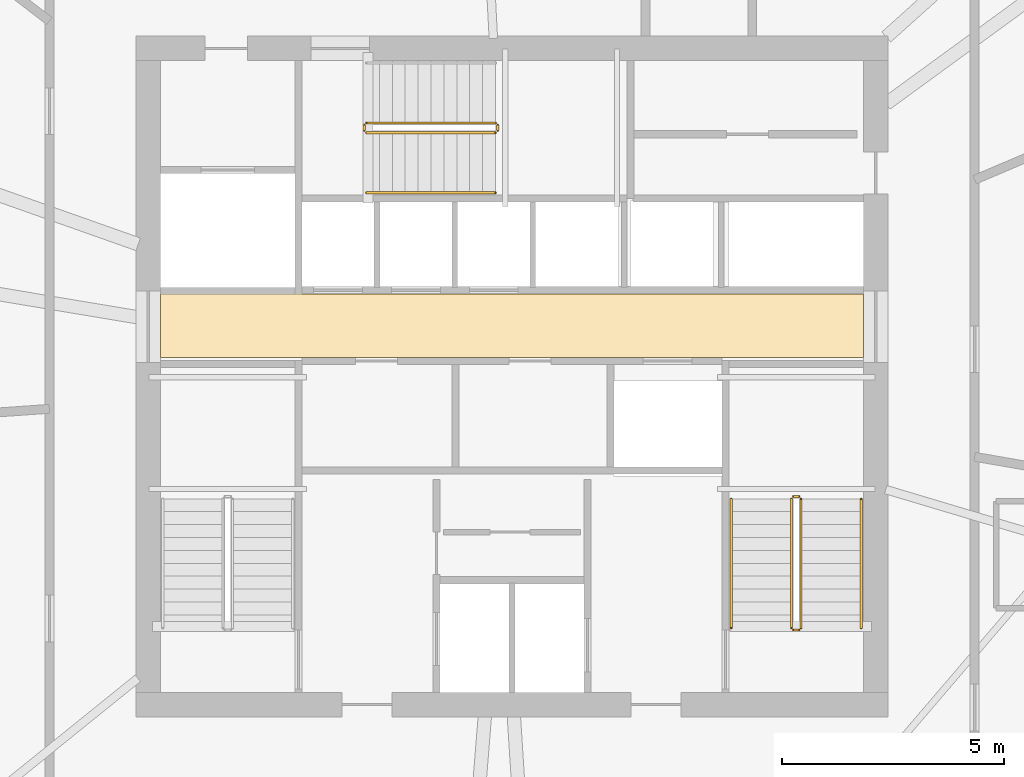
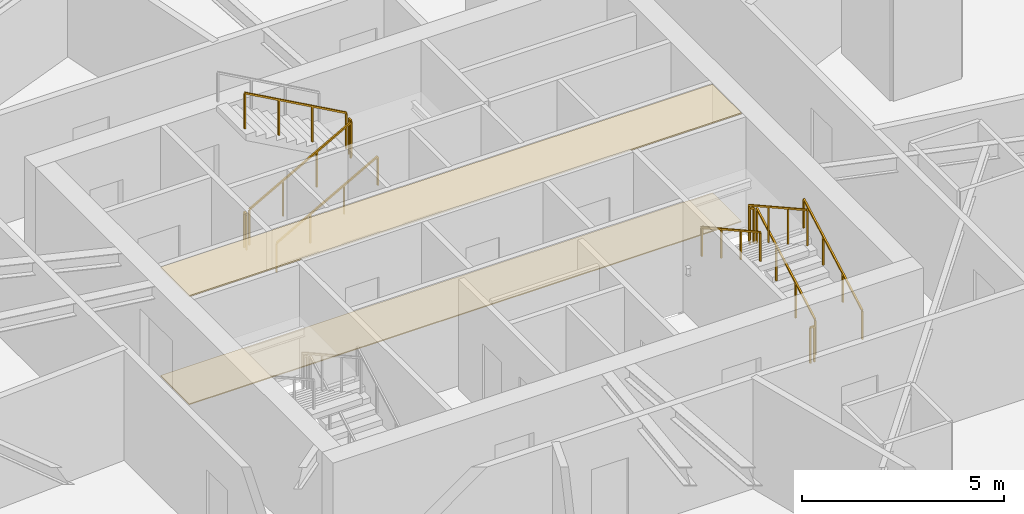
# One storey, part 12 of 13: 11 railings, 2 coverings.
"""IFC4 building model written with IfcOpenShell, lengths in metres."""

from ifc_helpers import new_model, si_unit, direction, frame, origin, origin_2d, place, context, subcontext, project, spatial, polyline, rectangle, outline, extrude, material, layer, layer_set, type_object, element, save


model = new_model("IFC4")

# Units and contexts
model_context = context("Model", 3, precision=1e-05, world=origin(), true_north=direction((0.0, 1.0)))
body_context = subcontext(model_context, "Body", "Model", "MODEL_VIEW")
ifc_project = project(units=[si_unit("LENGTHUNIT", "METRE"), si_unit("AREAUNIT", "SQUARE_METRE"), si_unit("VOLUMEUNIT", "CUBIC_METRE"), si_unit("PLANEANGLEUNIT", "RADIAN"), si_unit("MASSUNIT", "GRAM", prefix="KILO")], contexts=[model_context])

# Site, building, storey
site_placement = place(None, origin())
site = spatial("IfcSite", under=ifc_project, at=site_placement, CompositionType="ELEMENT")
building_placement = place(site_placement, origin())
building = spatial("IfcBuilding", under=site, at=building_placement, Name="Olszyna Solenne Hotel", CompositionType="ELEMENT")
storey_placement = place(building_placement, frame((0.0, 0.0, 189.199951171875)))
storey = spatial("IfcBuildingStorey", under=building, at=storey_placement, Name="L50", CompositionType="ELEMENT", Elevation=189.199951171875)

# Coverings
ifc_material_1 = material(Name="Mineral wool acoustic ceiling")
ifc_layer_1 = layer(ifc_material_1, 0.0400390625, Name="Mineral wool acoustic ceiling")
ifc_layer_set_1 = layer_set([ifc_layer_1], Name="Mineral wool acoustic ceiling")
covering_type_1 = type_object("IfcCoveringType", Name="CL-AC1", PredefinedType="CEILING", material=ifc_layer_set_1)
covering_1_placement = place(storey_placement, frame((0.0, 0.0, 3.27001953125)))
element("IfcCovering", 1, at=covering_1_placement, inside=storey, type_object=covering_type_1, Name="Lift lobby acoustic tile ceiling CL-L50-01", PredefinedType="CEILING", context=body_context, shape_type="SweptSolid", body=[
    extrude(outline(polyline([(30.10009765625, 27.030029296875), (45.89990234375, 27.030029296875), (45.89990234375, 28.4599609375), (30.10009765625, 28.4599609375), (30.10009765625, 27.030029296875)])), origin(), (0.0, 0.0, 1.0), 0.0400390625),
])
ifc_material_2 = material(Name="Ceramic floor tile")
ifc_layer_2 = layer(ifc_material_2, 0.030029296875, Name="Ceramic floor tile")
ifc_layer_set_2 = layer_set([ifc_layer_2], Name="Ceramic floor tile")
covering_type_2 = type_object("IfcCoveringType", Name="FL-TL1", PredefinedType="FLOORING", material=ifc_layer_set_2)
covering_2_placement = place(storey_placement, origin())
element("IfcCovering", 2, at=covering_2_placement, inside=storey, type_object=covering_type_2, Name="Lift lobby stoneware floor finish FLR-L50-01", PredefinedType="FLOORING", context=body_context, shape_type="SweptSolid", body=[
    extrude(outline(polyline([(30.10009765625, 27.030029296875), (45.89990234375, 27.030029296875), (45.89990234375, 28.4599609375), (30.10009765625, 28.4599609375), (30.10009765625, 27.030029296875)])), origin(), (0.0, 0.0, 1.0), 0.030029296875),
])

# Railings
ifc_material_3 = material(Name="Anodised bronze aluminium", Category="aluminium")
railing_type_1 = type_object("IfcRailingType", Name="GR-110", PredefinedType="BALUSTRADE", material=ifc_material_3)
railing_1_placement = place(storey_placement, frame((44.5, 20.949951171875, 0.161376953125)))
element("IfcRailing", 3, at=railing_1_placement, inside=storey, type_object=railing_type_1, Name="L50 ST2 stair guard 1", PredefinedType="BALUSTRADE", context=body_context, shape_type="SweptSolid", body=[
    extrude(rectangle(XDim=0.048095703125, YDim=0.048095703125, at=origin_2d()), frame((0.0, 0.0, 1.076171875), z_axis=(0.0, 0.873827439584, 0.48623616261), x_axis=(-1.0, 0.0, 0.0)), (0.0, 0.0, 1.0), 3.31884765625),
    extrude(rectangle(XDim=0.0419921875, YDim=0.0419921875, at=origin_2d()), origin(), (0.0, 0.0, 1.0), 1.052001953125),
    extrude(rectangle(XDim=0.0419921875, YDim=0.0419921875, at=origin_2d()), frame((0.0, 0.966796875, 0.537841796875)), (0.0, 0.0, 1.0), 1.052001953125),
    extrude(rectangle(XDim=0.0419921875, YDim=0.0419921875, at=origin_2d()), frame((0.0, 1.933349609375, 1.075927734375)), (0.0, 0.0, 1.0), 1.052001953125),
    extrude(rectangle(XDim=0.0419921875, YDim=0.0419921875, at=origin_2d()), frame((0.0, 2.900146484375, 1.61376953125)), (0.0, 0.0, 1.0), 1.052001953125),
])
railing_2_placement = place(storey_placement, frame((44.449951171875, 23.89990234375, 1.775146484375)))
element("IfcRailing", 4, at=railing_2_placement, inside=storey, type_object=railing_type_1, Name="L50 ST2 stair guard 2", PredefinedType="BALUSTRADE", context=body_context, shape_type="SweptSolid", body=[
    extrude(rectangle(XDim=0.048095703125, YDim=0.048095703125, at=origin_2d()), frame((0.0, 0.0, 1.076171875), z_axis=(-1.0, 0.0, 0.0), x_axis=(0.0, -1.0, 0.0)), (0.0, 0.0, 1.0), 0.119873046875),
    extrude(rectangle(XDim=0.0419921875, YDim=0.0419921875, at=origin_2d()), origin(), (0.0, 0.0, 1.0), 1.052001953125),
    extrude(rectangle(XDim=0.0419921875, YDim=0.0419921875, at=origin_2d()), frame((-0.119873046875, 0.0, 0.0)), (0.0, 0.0, 1.0), 1.052001953125),
])
railing_3_placement = place(storey_placement, frame((44.280029296875, 23.85009765625, 1.9365234375)))
element("IfcRailing", 5, at=railing_3_placement, inside=storey, type_object=railing_type_1, Name="L50 ST2 stair guard 3", PredefinedType="BALUSTRADE", context=body_context, shape_type="SweptSolid", body=[
    extrude(rectangle(XDim=0.048095703125, YDim=0.048095703125, at=origin_2d()), frame((0.0, 0.0, 1.076171875), z_axis=(0.0, -0.873858693841, 0.486179990537), x_axis=(1.0, 0.0, 0.0)), (0.0, 0.0, 1.0), 3.31884765625),
    extrude(rectangle(XDim=0.0419921875, YDim=0.0419921875, at=origin_2d()), origin(), (0.0, 0.0, 1.0), 1.052001953125),
    extrude(rectangle(XDim=0.0419921875, YDim=0.0419921875, at=origin_2d()), frame((0.0, -0.966796875, 0.537841796875)), (0.0, 0.0, 1.0), 1.052001953125),
    extrude(rectangle(XDim=0.0419921875, YDim=0.0419921875, at=origin_2d()), frame((0.0, -1.933349609375, 1.07568359375)), (0.0, 0.0, 1.0), 1.052001953125),
    extrude(rectangle(XDim=0.0419921875, YDim=0.0419921875, at=origin_2d()), frame((0.0, -2.900146484375, 1.613525390625)), (0.0, 0.0, 1.0), 1.052001953125),
])
railing_4_placement = place(storey_placement, frame((44.449951171875, 20.89990234375, 0.0)))
element("IfcRailing", 6, at=railing_4_placement, inside=storey, type_object=railing_type_1, Name="L50 ST2 stair guard 4", PredefinedType="BALUSTRADE", context=body_context, shape_type="SweptSolid", body=[
    extrude(rectangle(XDim=0.048095703125, YDim=0.048095703125, at=origin_2d()), frame((0.0, 0.0, 1.076171875), z_axis=(-1.0, 0.0, 0.0), x_axis=(0.0, -1.0, 0.0)), (0.0, 0.0, 1.0), 0.119873046875),
    extrude(rectangle(XDim=0.0419921875, YDim=0.0419921875, at=origin_2d()), origin(), (0.0, 0.0, 1.0), 1.052001953125),
    extrude(rectangle(XDim=0.0419921875, YDim=0.0419921875, at=origin_2d()), frame((-0.119873046875, 0.0, 0.0)), (0.0, 0.0, 1.0), 1.052001953125),
])
railing_5_placement = place(storey_placement, frame((34.72998046875, 32.080078125, 0.161376953125)))
element("IfcRailing", 7, at=railing_5_placement, inside=storey, type_object=railing_type_1, Name="L50 ST3 stair guard 1", PredefinedType="BALUSTRADE", context=body_context, shape_type="SweptSolid", body=[
    extrude(rectangle(XDim=0.048095703125, YDim=0.048095703125, at=origin_2d()), frame((0.0, 0.0, 1.076171875), z_axis=(0.873810046276, 0.0, 0.486267419253), x_axis=(0.0, 1.0, 0.0)), (0.0, 0.0, 1.0), 3.318603515625),
    extrude(rectangle(XDim=0.0419921875, YDim=0.0419921875, at=origin_2d()), origin(), (0.0, 0.0, 1.0), 1.052001953125),
    extrude(rectangle(XDim=0.0419921875, YDim=0.0419921875, at=origin_2d()), frame((0.966552734375, 0.0, 0.537841796875)), (0.0, 0.0, 1.0), 1.052001953125),
    extrude(rectangle(XDim=0.0419921875, YDim=0.0419921875, at=origin_2d()), frame((1.933349609375, 0.0, 1.075927734375)), (0.0, 0.0, 1.0), 1.052001953125),
    extrude(rectangle(XDim=0.0419921875, YDim=0.0419921875, at=origin_2d()), frame((2.89990234375, 0.0, 1.61376953125)), (0.0, 0.0, 1.0), 1.052001953125),
])
railing_6_placement = place(storey_placement, frame((37.679931640625, 32.1298828125, 1.775146484375)))
element("IfcRailing", 8, at=railing_6_placement, inside=storey, type_object=railing_type_1, Name="L50 ST3 stair guard 2", PredefinedType="BALUSTRADE", context=body_context, shape_type="SweptSolid", body=[
    extrude(rectangle(XDim=0.048095703125, YDim=0.048095703125, at=origin_2d()), frame((0.0, 0.0, 1.076171875), z_axis=(0.0, 1.0, 0.0), x_axis=(-1.0, 0.0, 0.0)), (0.0, 0.0, 1.0), 0.1201171875),
    extrude(rectangle(XDim=0.0419921875, YDim=0.0419921875, at=origin_2d()), origin(), (0.0, 0.0, 1.0), 1.052001953125),
    extrude(rectangle(XDim=0.0419921875, YDim=0.0419921875, at=origin_2d()), frame((0.0, 0.1201171875, 0.0)), (0.0, 0.0, 1.0), 1.052001953125),
])
railing_7_placement = place(storey_placement, frame((37.6298828125, 32.300048828125, 1.9365234375)))
element("IfcRailing", 9, at=railing_7_placement, inside=storey, type_object=railing_type_1, Name="L50 ST3 stair guard 3", PredefinedType="BALUSTRADE", context=body_context, shape_type="SweptSolid", body=[
    extrude(rectangle(XDim=0.048095703125, YDim=0.048095703125, at=origin_2d()), frame((0.0, 0.0, 1.076171875), z_axis=(-0.873841303929, 0.0, 0.486211245805), x_axis=(0.0, -1.0, 0.0)), (0.0, 0.0, 1.0), 3.318603515625),
    extrude(rectangle(XDim=0.0419921875, YDim=0.0419921875, at=origin_2d()), origin(), (0.0, 0.0, 1.0), 1.052001953125),
    extrude(rectangle(XDim=0.0419921875, YDim=0.0419921875, at=origin_2d()), frame((-0.966552734375, 0.0, 0.537841796875)), (0.0, 0.0, 1.0), 1.052001953125),
    extrude(rectangle(XDim=0.0419921875, YDim=0.0419921875, at=origin_2d()), frame((-1.933349609375, 0.0, 1.07568359375)), (0.0, 0.0, 1.0), 1.052001953125),
    extrude(rectangle(XDim=0.0419921875, YDim=0.0419921875, at=origin_2d()), frame((-2.89990234375, 0.0, 1.613525390625)), (0.0, 0.0, 1.0), 1.052001953125),
])
railing_8_placement = place(storey_placement, frame((34.679931640625, 32.1298828125, 0.0)))
element("IfcRailing", 10, at=railing_8_placement, inside=storey, type_object=railing_type_1, Name="L50 ST3 stair guard 4", PredefinedType="BALUSTRADE", context=body_context, shape_type="SweptSolid", body=[
    extrude(rectangle(XDim=0.048095703125, YDim=0.048095703125, at=origin_2d()), frame((0.0, 0.0, 1.076171875), z_axis=(0.0, 1.0, 0.0), x_axis=(-1.0, 0.0, 0.0)), (0.0, 0.0, 1.0), 0.1201171875),
    extrude(rectangle(XDim=0.0419921875, YDim=0.0419921875, at=origin_2d()), origin(), (0.0, 0.0, 1.0), 1.052001953125),
    extrude(rectangle(XDim=0.0419921875, YDim=0.0419921875, at=origin_2d()), frame((0.0, 0.1201171875, 0.0)), (0.0, 0.0, 1.0), 1.052001953125),
])
ifc_material_4 = material(Name="Steel S355J2", Category="steel")
railing_type_2 = type_object("IfcRailingType", Name="HR-090", PredefinedType="HANDRAIL", material=ifc_material_4)
railing_9_placement = place(storey_placement, frame((45.85009765625, 20.949951171875, 0.161376953125)))
element("IfcRailing", 11, at=railing_9_placement, inside=storey, type_object=railing_type_2, Name="L50 ST2 stair handrail 1", PredefinedType="HANDRAIL", context=body_context, shape_type="SweptSolid", body=[
    extrude(rectangle(XDim=0.048095703125, YDim=0.048095703125, at=origin_2d()), frame((0.0, 0.0, 0.8759765625), z_axis=(0.0, 0.873827439584, 0.48623616261), x_axis=(-1.0, 0.0, 0.0)), (0.0, 0.0, 1.0), 3.31884765625),
    extrude(rectangle(XDim=0.0419921875, YDim=0.0419921875, at=origin_2d()), origin(), (0.0, 0.0, 1.0), 0.851806640625),
    extrude(rectangle(XDim=0.0419921875, YDim=0.0419921875, at=origin_2d()), frame((0.0, 0.966796875, 0.537841796875)), (0.0, 0.0, 1.0), 0.851806640625),
    extrude(rectangle(XDim=0.0419921875, YDim=0.0419921875, at=origin_2d()), frame((0.0, 1.933349609375, 1.075927734375)), (0.0, 0.0, 1.0), 0.851806640625),
    extrude(rectangle(XDim=0.0419921875, YDim=0.0419921875, at=origin_2d()), frame((0.0, 2.900146484375, 1.61376953125)), (0.0, 0.0, 1.0), 0.851806640625),
])
railing_10_placement = place(storey_placement, frame((42.929931640625, 23.85009765625, 1.9365234375)))
element("IfcRailing", 12, at=railing_10_placement, inside=storey, type_object=railing_type_2, Name="L50 ST2 stair handrail 2", PredefinedType="HANDRAIL", context=body_context, shape_type="SweptSolid", body=[
    extrude(rectangle(XDim=0.048095703125, YDim=0.048095703125, at=origin_2d()), frame((0.0, 0.0, 0.8759765625), z_axis=(0.0, -0.873858693841, 0.486179990537), x_axis=(1.0, 0.0, 0.0)), (0.0, 0.0, 1.0), 3.31884765625),
    extrude(rectangle(XDim=0.0419921875, YDim=0.0419921875, at=origin_2d()), origin(), (0.0, 0.0, 1.0), 0.851806640625),
    extrude(rectangle(XDim=0.0419921875, YDim=0.0419921875, at=origin_2d()), frame((0.0, -0.966796875, 0.537841796875)), (0.0, 0.0, 1.0), 0.851806640625),
    extrude(rectangle(XDim=0.0419921875, YDim=0.0419921875, at=origin_2d()), frame((0.0, -1.933349609375, 1.07568359375)), (0.0, 0.0, 1.0), 0.851806640625),
    extrude(rectangle(XDim=0.0419921875, YDim=0.0419921875, at=origin_2d()), frame((0.0, -2.900146484375, 1.613525390625)), (0.0, 0.0, 1.0), 0.851806640625),
])
railing_11_placement = place(storey_placement, frame((34.72998046875, 30.72998046875, 0.161376953125)))
element("IfcRailing", 13, at=railing_11_placement, inside=storey, type_object=railing_type_2, Name="L50 ST3 stair handrail 1", PredefinedType="HANDRAIL", context=body_context, shape_type="SweptSolid", body=[
    extrude(rectangle(XDim=0.048095703125, YDim=0.048095703125, at=origin_2d()), frame((0.0, 0.0, 0.8759765625), z_axis=(0.873810046276, 0.0, 0.486267419253), x_axis=(0.0, 1.0, 0.0)), (0.0, 0.0, 1.0), 3.318603515625),
    extrude(rectangle(XDim=0.0419921875, YDim=0.0419921875, at=origin_2d()), origin(), (0.0, 0.0, 1.0), 0.851806640625),
    extrude(rectangle(XDim=0.0419921875, YDim=0.0419921875, at=origin_2d()), frame((0.966552734375, 0.0, 0.537841796875)), (0.0, 0.0, 1.0), 0.851806640625),
    extrude(rectangle(XDim=0.0419921875, YDim=0.0419921875, at=origin_2d()), frame((1.933349609375, 0.0, 1.075927734375)), (0.0, 0.0, 1.0), 0.851806640625),
    extrude(rectangle(XDim=0.0419921875, YDim=0.0419921875, at=origin_2d()), frame((2.89990234375, 0.0, 1.61376953125)), (0.0, 0.0, 1.0), 0.851806640625),
])

save(model, "model.ifc")
